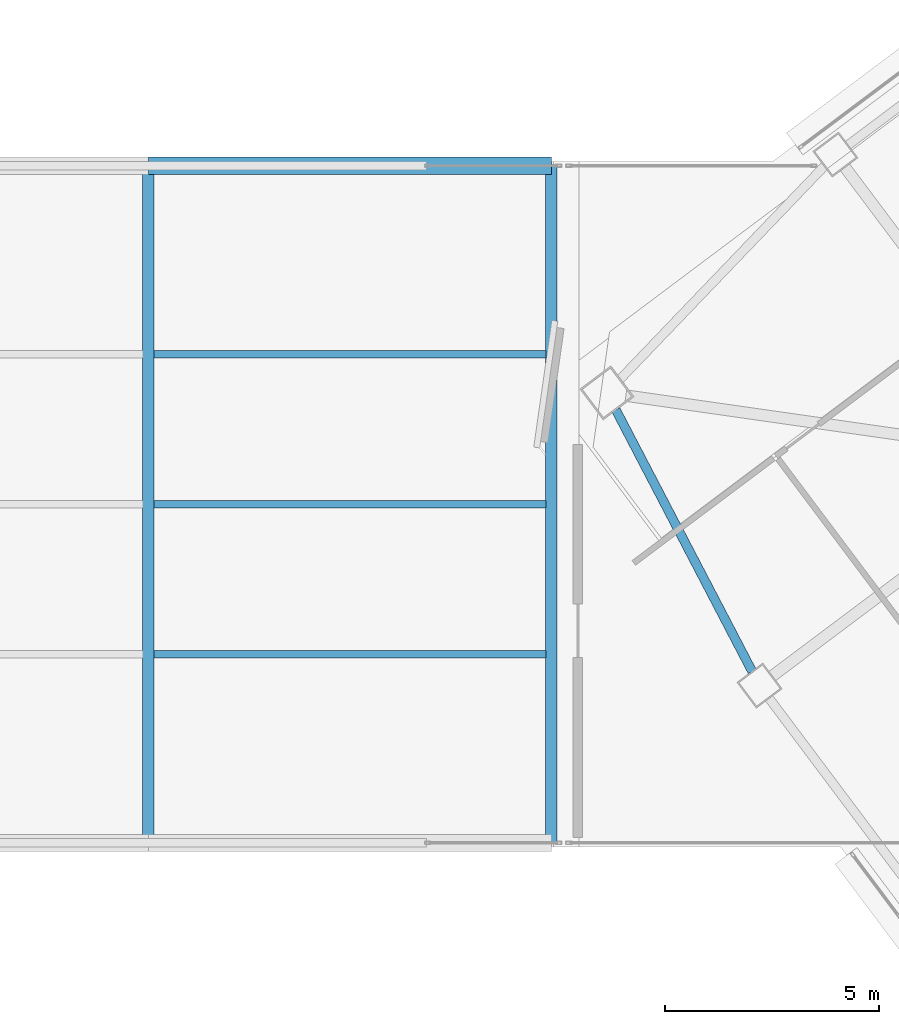
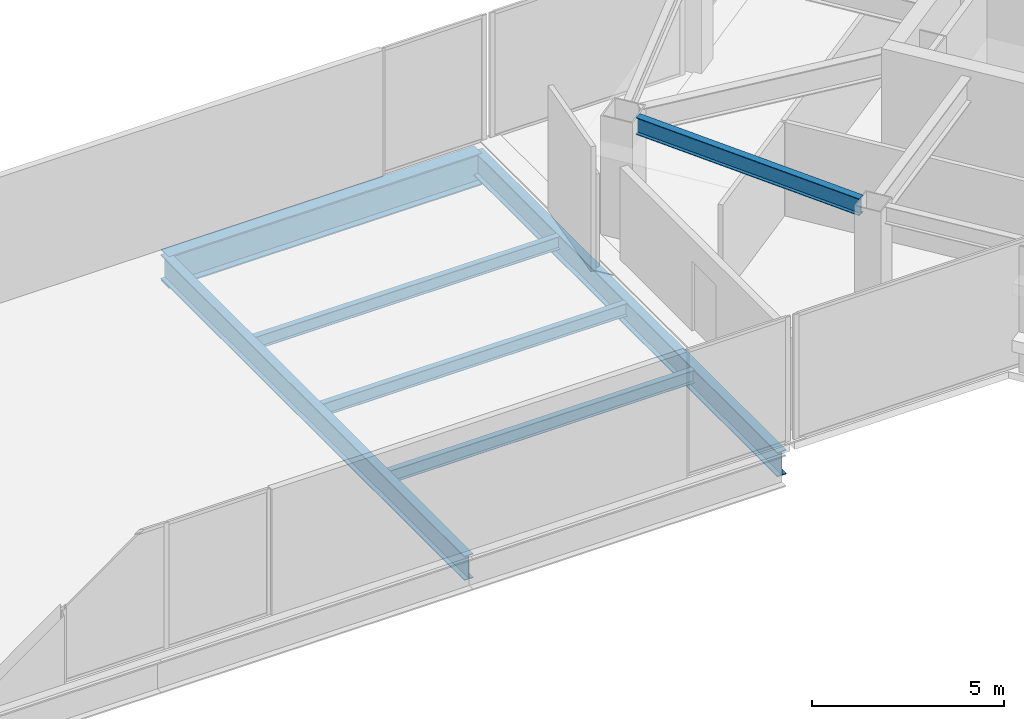
# One storey, part 24 of 51: 7 beams.
"""IFC4 building model written with IfcOpenShell, lengths in metres."""

from ifc_helpers import new_model, si_unit, direction, frame, origin, origin_2d, place, context, subcontext, project, spatial, i_section, extrude, material, material_profile, profile_set, type_object, element, save


model = new_model("IFC4")

# Units and contexts
model_context = context("Model", 3, precision=1e-05, world=origin(), true_north=direction((0.0, 1.0)))
body_context = subcontext(model_context, "Body", "Model", "MODEL_VIEW")
ifc_project = project(units=[si_unit("LENGTHUNIT", "METRE"), si_unit("AREAUNIT", "SQUARE_METRE"), si_unit("VOLUMEUNIT", "CUBIC_METRE"), si_unit("PLANEANGLEUNIT", "RADIAN"), si_unit("MASSUNIT", "GRAM", prefix="KILO")], contexts=[model_context])

# Site, building, storey
site_placement = place(None, origin())
site = spatial("IfcSite", under=ifc_project, at=site_placement, CompositionType="ELEMENT")
building_placement = place(site_placement, origin())
building = spatial("IfcBuilding", under=site, at=building_placement, Name="Tashvorn Skyway Center", CompositionType="ELEMENT")
storey_placement = place(building_placement, frame((0.0, 0.0, 251.39990234375)))
storey = spatial("IfcBuildingStorey", under=building, at=storey_placement, Name="L68", CompositionType="ELEMENT", Elevation=251.39990234375)

# Beams
ifc_material_1 = material(Name="Steel ASTM A992 Grade 50", Category="steel")
ifc_material_profile_1 = material_profile(ifc_material_1, i_section(OverallWidth=0.26708984375, OverallDepth=0.779052734375, WebThickness=0.0166015625, FlangeThickness=0.030029296875, at=origin_2d()), Name="W30X148")
ifc_profile_set_1 = profile_set([ifc_material_profile_1], Name="Steel ASTM A992 Grade 50")
beam_type_1 = type_object("IfcBeamType", Name="BM-BEAM-W30X148", PredefinedType="BEAM", material=ifc_profile_set_1)
for number, where, z_axis, x_axis, name in (
    (1, (85.10009765625, 24.10009765625, -0.609375), (0.0, 1.0, 0.0), (-1.0, 0.0, 0.0), "Sky-Park L68 Transverse Floor Beam 09"),
    (2, (94.5, 24.10009765625, -0.609375), (0.0, 1.0, 0.0), (-1.0, 0.0, 0.0), "Sky-Park L68 Transverse Floor Beam 10"),
):
    element("IfcBeam", number, at=place(storey_placement, frame(where, z_axis=z_axis, x_axis=x_axis)), inside=storey, type_object=beam_type_1, Name=name, PredefinedType="BEAM", context=body_context, shape_type="SweptSolid", body=[
        extrude(i_section(OverallWidth=0.26708984375, OverallDepth=0.779052734375, WebThickness=0.0166015625, FlangeThickness=0.030029296875, at=origin_2d()), origin(), (0.0, 0.0, 1.0), 15.7998046875),
    ])
ifc_material_2 = material(Name="Steel ASTM A913 Grade 65", Category="steel")
ifc_material_profile_2 = material_profile(ifc_material_2, i_section(OverallWidth=0.40087890625, OverallDepth=1.010986328125, WebThickness=0.023681640625, FlangeThickness=0.0419921875, at=origin_2d()), Name="W40X297")
ifc_profile_set_2 = profile_set([ifc_material_profile_2], Name="Steel ASTM A913 Grade 65")
beam_type_2 = type_object("IfcBeamType", Name="BM-BEAM-W40X297", PredefinedType="BEAM", material=ifc_profile_set_2)
beam_1_placement = place(storey_placement, frame((85.10009765625, 39.89990234375, -0.725341796875), z_axis=(1.0, 0.0, 0.0), x_axis=(0.0, 1.0, 0.0)))
element("IfcBeam", 3, at=beam_1_placement, inside=storey, type_object=beam_type_2, Name="Sky-Park Truss 2 Bottom Chord Panel 09", PredefinedType="BEAM", context=body_context, shape_type="SweptSolid", body=[
    extrude(i_section(OverallWidth=0.40087890625, OverallDepth=1.010986328125, WebThickness=0.023681640625, FlangeThickness=0.0419921875, at=origin_2d()), origin(), (0.0, 0.0, 1.0), 9.39990234375),
])
ifc_material_profile_3 = material_profile(ifc_material_1, i_section(OverallWidth=0.177978515625, OverallDepth=0.406005859375, WebThickness=0.0078125, FlangeThickness=0.0126953125, at=origin_2d()), Name="W16X40")
ifc_profile_set_3 = profile_set([ifc_material_profile_3], Name="Steel ASTM A992 Grade 50")
beam_type_3 = type_object("IfcBeamType", Name="BM-JOIST-W16X40", PredefinedType="JOIST", material=ifc_profile_set_3)
for number, where, z_axis, x_axis, name in (
    (4, (85.2255859375, 28.5, -0.4228515625), (1.0, 0.0, 0.0), (0.0, 1.0, 0.0), "Sky-Park L68 Longitudinal Joist 09-1"),
    (5, (85.2255859375, 32.0, -0.4228515625), (1.0, 0.0, 0.0), (0.0, 1.0, 0.0), "Sky-Park L68 Longitudinal Joist 09-2"),
    (6, (85.2255859375, 35.5, -0.4228515625), (1.0, 0.0, 0.0), (0.0, 1.0, 0.0), "Sky-Park L68 Longitudinal Joist 09-3"),
):
    element("IfcBeam", number, at=place(storey_placement, frame(where, z_axis=z_axis, x_axis=x_axis)), inside=storey, type_object=beam_type_3, Name=name, PredefinedType="JOIST", context=body_context, shape_type="SweptSolid", body=[
        extrude(i_section(OverallWidth=0.177978515625, OverallDepth=0.406005859375, WebThickness=0.0078125, FlangeThickness=0.0126953125, at=origin_2d()), origin(), (0.0, 0.0, 1.0), 9.14892578125),
    ])
ifc_material_profile_4 = material_profile(ifc_material_1, i_section(OverallWidth=0.2109375, OverallDepth=0.5390625, WebThickness=0.01171875, FlangeThickness=0.018798828125, at=origin_2d()), Name="W21X73")
ifc_profile_set_4 = profile_set([ifc_material_profile_4], Name="Steel ASTM A992 Grade 50")
beam_type_4 = type_object("IfcBeamType", Name="BM-SPANDREL-W21X73", PredefinedType="SPANDREL", material=ifc_profile_set_4)
beam_2_placement = place(storey_placement, frame((96.005615234375, 34.205322265625, 3.510498046875), z_axis=(0.462223120187, -0.886763659136, 0.0), x_axis=(0.886763659136, 0.462223120187, 0.0)))
element("IfcBeam", 7, at=beam_2_placement, inside=storey, type_object=beam_type_4, Name="Tower 2 L68 Spandrel Beam 10", PredefinedType="SPANDREL", context=body_context, shape_type="SweptSolid", body=[
    extrude(i_section(OverallWidth=0.2109375, OverallDepth=0.5390625, WebThickness=0.01171875, FlangeThickness=0.018798828125, at=origin_2d()), origin(), (0.0, 0.0, 1.0), 6.886962890625),
])

save(model, "model.ifc")
